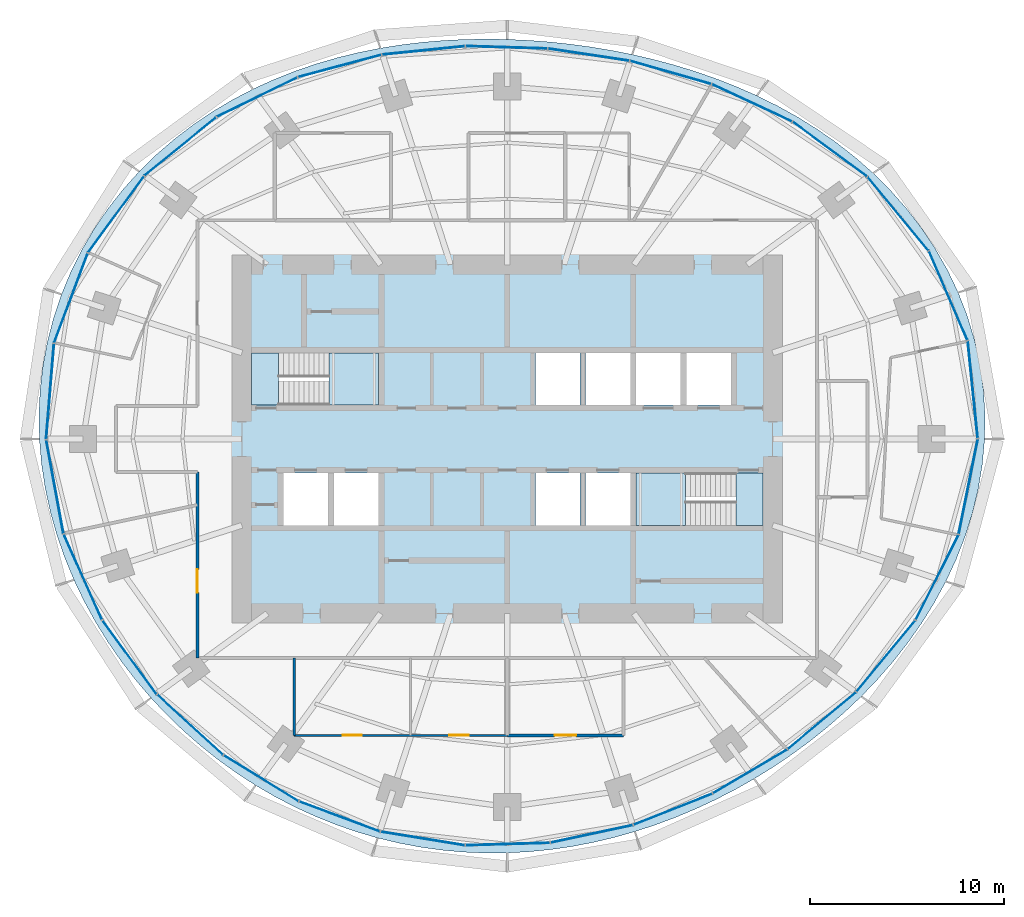
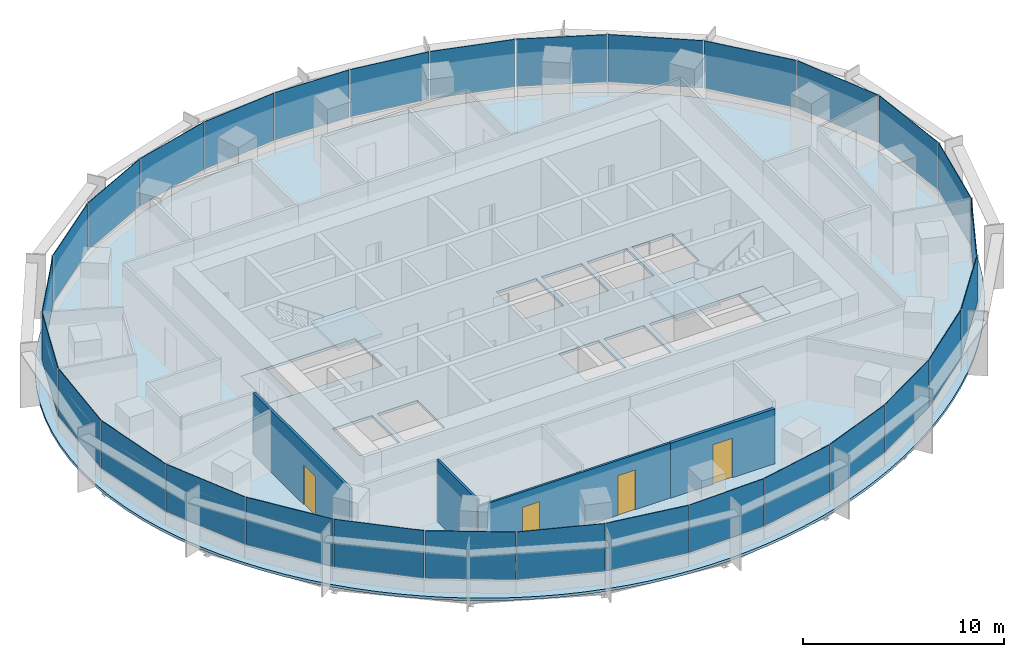
# One storey, part 9 of 14: 30 plates, 5 slabs, 4 doors, 4 walls, 4 openings, 8 elements without a shape of their own.
"""IFC4 building model written with IfcOpenShell, lengths in metres."""

from ifc_helpers import new_model, si_unit, direction, frame, frame_2d, origin, origin_2d, place, context, subcontext, project, spatial, polyline, rectangle, outline, extrude, material, layer, layer_set, type_object, element, fill, aggregate, save


model = new_model("IFC4")

# Units and contexts
model_context = context("Model", 3, precision=1e-05, world=origin(), true_north=direction((0.0, 1.0)))
body_context = subcontext(model_context, "Body", "Model", "MODEL_VIEW")
ifc_project = project(units=[si_unit("LENGTHUNIT", "METRE"), si_unit("AREAUNIT", "SQUARE_METRE"), si_unit("VOLUMEUNIT", "CUBIC_METRE"), si_unit("PLANEANGLEUNIT", "RADIAN"), si_unit("MASSUNIT", "GRAM", prefix="KILO")], contexts=[model_context])

# Site, building, storey
site_placement = place(None, origin())
site = spatial("IfcSite", under=ifc_project, at=site_placement, CompositionType="ELEMENT")
building_placement = place(site_placement, origin())
building = spatial("IfcBuilding", under=site, at=building_placement, Name="Marramba Exchange Tower", CompositionType="ELEMENT")
storey_placement = place(building_placement, frame((0.0, 0.0, 195.5)))
storey = spatial("IfcBuildingStorey", under=building, at=storey_placement, Name="L47", CompositionType="ELEMENT", Elevation=195.5)

# Slab
ifc_material_1 = material(Name="Concrete N40", Category="concrete")
ifc_layer_1 = layer(ifc_material_1, 0.159912109375)
ifc_layer_set_1 = layer_set([ifc_layer_1], Name="Composite floor slab 160")
slab_type_1 = type_object("IfcSlabType", Name="Composite floor slab 160", PredefinedType="FLOOR", material=ifc_layer_set_1)
slab_1_placement = place(storey_placement, frame((0.0, 0.0, -0.159912109375)))
element("IfcSlab", 1, at=slab_1_placement, inside=storey, type_object=slab_type_1, Name="Floor slab L47", PredefinedType="FLOOR", context=body_context, shape_type="SweptSolid", body=[
    extrude(outline(polyline([(24.64404296875, 0.0), (24.661376953125, 1.29248046875), (24.580078125, 2.58349609375), (24.399658203125, 3.864501953125), (24.12109375, 5.127197265625), (23.7470703125, 6.363037109375), (23.281494140625, 7.564697265625), (22.72900390625, 8.724853515625), (22.095947265625, 9.837646484375), (21.388427734375, 10.89794921875), (20.614013671875, 11.901611328125), (19.780029296875, 12.845458984375), (18.894287109375, 13.7275390625), (17.964111328125, 14.547119140625), (16.996826171875, 15.303955078125), (15.9990234375, 15.9990234375), (14.977294921875, 16.634033203125), (13.936767578125, 17.21044921875), (12.882568359375, 17.7314453125), (11.819091796875, 18.19970703125), (10.749267578125, 18.6181640625), (9.67578125, 18.989990234375), (8.60107421875, 19.318115234375), (7.52587890625, 19.60546875), (6.451171875, 19.8544921875), (5.377197265625, 20.067626953125), (4.303466796875, 20.246337890625), (3.229736328125, 20.39208984375), (2.1552734375, 20.50537109375), (1.078857421875, 20.5869140625), (0.0, 20.63623046875), (-1.082275390625, 20.652587890625), (-2.168701171875, 20.634765625), (-3.259765625, 20.580810546875), (-4.35498046875, 20.4892578125), (-5.45458984375, 20.35693359375), (-6.557373046875, 20.181884765625), (-7.662353515625, 19.9609375), (-8.76708984375, 19.691162109375), (-9.869384765625, 19.369873046875), (-10.96630859375, 18.994384765625), (-12.05419921875, 18.561767578125), (-13.128662109375, 18.070068359375), (-14.185546875, 17.517578125), (-15.218994140625, 16.902587890625), (-16.22412109375, 16.22412109375), (-17.195068359375, 15.482421875), (-18.12548828125, 14.677734375), (-19.009521484375, 13.811279296875), (-19.841064453125, 12.885009765625), (-20.614013671875, 11.901611328125), (-21.32275390625, 10.864501953125), (-21.9619140625, 9.778076171875), (-22.52685546875, 8.647216796875), (-23.01318359375, 7.477294921875), (-23.417724609375, 6.274658203125), (-23.73779296875, 5.045654296875), (-23.971923828125, 3.796875), (-24.119384765625, 2.53515625), (-24.180419921875, 1.267333984375), (-24.156005859375, 0.0), (-24.04833984375, -1.26025390625), (-23.860107421875, -2.5078125), (-23.594482421875, -3.737060546875), (-23.25537109375, -4.943115234375), (-22.846923828125, -6.121826171875), (-22.373291015625, -7.26953125), (-21.8388671875, -8.38330078125), (-21.247802734375, -9.460205078125), (-20.604248046875, -10.49853515625), (-19.912109375, -11.496337890625), (-19.174560546875, -12.4521484375), (-18.395263671875, -13.364990234375), (-17.5771484375, -14.233642578125), (-16.72265625, -15.05712890625), (-15.834228515625, -15.834228515625), (-14.914794921875, -16.564453125), (-13.966064453125, -17.24658203125), (-12.990234375, -17.879638671875), (-11.98974609375, -18.46240234375), (-10.96630859375, -18.994384765625), (-9.922607421875, -19.47412109375), (-8.860595703125, -19.901123046875), (-7.78271484375, -20.2744140625), (-6.691162109375, -20.593505859375), (-5.5888671875, -20.858154296875), (-4.478271484375, -21.068115234375), (-3.361328125, -21.22314453125), (-2.2412109375, -21.32373046875), (-1.119873046875, -21.370361328125), (0.0, -21.36376953125), (1.116455078125, -21.3046875), (2.2275390625, -21.194580078125), (3.33154296875, -21.0341796875), (4.426513671875, -20.8251953125), (5.511474609375, -20.56884765625), (6.5849609375, -20.266357421875), (7.646240234375, -19.919189453125), (8.694580078125, -19.528076171875), (9.72900390625, -19.09423828125), (10.749267578125, -18.6181640625), (11.75439453125, -18.100341796875), (12.744140625, -17.541015625), (13.71728515625, -16.939697265625), (14.6728515625, -16.2958984375), (15.609130859375, -15.609130859375), (16.5244140625, -14.878662109375), (17.415771484375, -14.10302734375), (18.280029296875, -13.28125), (19.11376953125, -12.41259765625), (19.912109375, -11.496337890625), (20.669921875, -10.531982421875), (21.3818359375, -9.519775390625), (22.041259765625, -8.4609375), (22.641845703125, -7.356689453125), (23.176513671875, -6.210205078125), (23.638671875, -5.024658203125), (24.022216796875, -3.8046875), (24.32080078125, -2.55615234375), (24.529541015625, -1.28564453125), (24.64404296875, 0.0)]), holes=[polyline([(1.449951171875, 1.75), (3.75, 1.75), (3.75, 4.449951171875), (1.449951171875, 4.449951171875), (1.449951171875, 1.75)]), polyline([(4.050048828125, 1.75), (6.35009765625, 1.75), (6.35009765625, 4.449951171875), (4.050048828125, 4.449951171875), (4.050048828125, 1.75)]), polyline([(1.449951171875, -4.449951171875), (3.75, -4.449951171875), (3.75, -1.75), (1.449951171875, -1.75), (1.449951171875, -4.449951171875)]), polyline([(4.050048828125, -4.449951171875), (6.35009765625, -4.449951171875), (6.35009765625, -1.75), (4.050048828125, -1.75), (4.050048828125, -4.449951171875)]), polyline([(6.64990234375, 1.75), (8.949951171875, 1.75), (8.949951171875, 4.449951171875), (6.64990234375, 4.449951171875), (6.64990234375, 1.75)]), polyline([(-8.949951171875, -4.449951171875), (-6.64990234375, -4.449951171875), (-6.64990234375, -1.75), (-8.949951171875, -1.75), (-8.949951171875, -4.449951171875)]), polyline([(-11.550048828125, -4.449951171875), (-9.25, -4.449951171875), (-9.25, -1.75), (-11.550048828125, -1.75), (-11.550048828125, -4.449951171875)]), polyline([(9.25, 1.75), (11.550048828125, 1.75), (11.550048828125, 4.449951171875), (9.25, 4.449951171875), (9.25, 1.75)]), polyline([(-13.199951171875, 1.75), (-6.64990234375, 1.75), (-6.64990234375, 4.449951171875), (-13.199951171875, 4.449951171875), (-13.199951171875, 1.75)]), polyline([(6.64990234375, -4.449951171875), (13.199951171875, -4.449951171875), (13.199951171875, -1.75), (6.64990234375, -1.75), (6.64990234375, -4.449951171875)])]), origin(), (0.0, 0.0, 1.0), 0.159912109375),
])

# Curtain wall, plates
ifc_material_2 = material(Name="Aluminium framing, bronze anodised", Category="aluminium")
curtain_wall_type = type_object("IfcCurtainWallType", Name="Office ribbon curtain wall", PredefinedType="USERDEFINED", material=ifc_material_2)
curtain_wall_1_placement = place(storey_placement, origin())
curtain_wall_1 = element("IfcCurtainWall", 2, at=curtain_wall_1_placement, inside=storey, type_object=curtain_wall_type, Name="Curtain wall CW4 L47 F01-F05", ObjectType="RIBBON CURTAIN WALL", PredefinedType="USERDEFINED")
ifc_material_3 = material(Name="Laminated double glazed unit 10.76 + 16 + 10.76, bronze tinted", Category="glass")
ifc_layer_2 = layer(ifc_material_3, 0.03759765625)
ifc_layer_set_2 = layer_set([ifc_layer_2], Name="Office ribbon curtain wall panel")
plate_type = type_object("IfcPlateType", Name="Office ribbon curtain wall panel", PredefinedType="CURTAIN_PANEL", material=ifc_layer_set_2)
plate_1_placement = place(storey_placement, frame((24.033203125, 2.556884765625, 0.860107421875), z_axis=(0.0, 0.0, 1.0), x_axis=(-0.101422472607, 0.994843446001, 0.0)))
plate_1 = element("IfcPlate", 3, at=plate_1_placement, type_object=plate_type, Name="CW4 vision panel", PredefinedType="CURTAIN_PANEL", context=body_context, shape_type="SweptSolid", body=[
    extrude(rectangle(XDim=5.0205078125, YDim=0.03759765625, at=origin_2d()), origin(), (0.0, 0.0, 1.0), 2.8798828125),
])
plate_2_placement = place(storey_placement, frame((22.765625, 7.40234375, 0.860107421875), z_axis=(0.0, 0.0, 1.0), x_axis=(-0.396193346946, 0.918167104527, 0.0)))
plate_2 = element("IfcPlate", 4, at=plate_2_placement, type_object=plate_type, Name="CW4 vision panel", PredefinedType="CURTAIN_PANEL", context=body_context, shape_type="SweptSolid", body=[
    extrude(rectangle(XDim=4.99462890625, YDim=0.03759765625, at=origin_2d()), origin(), (0.0, 0.0, 1.0), 2.8798828125),
])
plate_3_placement = place(storey_placement, frame((20.174560546875, 11.631591796875, 0.860107421875), z_axis=(0.0, 0.0, 1.0), x_axis=(-0.637350227411, 0.770574258342, 0.0)))
plate_3 = element("IfcPlate", 5, at=plate_3_placement, type_object=plate_type, Name="CW4 vision panel", PredefinedType="CURTAIN_PANEL", context=body_context, shape_type="SweptSolid", body=[
    extrude(rectangle(XDim=4.90576171875, YDim=0.03759765625, at=origin_2d()), origin(), (0.0, 0.0, 1.0), 2.8798828125),
])
plate_4_placement = place(storey_placement, frame((16.653076171875, 14.965576171875, 0.860107421875), z_axis=(0.0, 0.0, 1.0), x_axis=(-0.804877259395, 0.593441317494, 0.0)))
plate_4 = element("IfcPlate", 6, at=plate_4_placement, type_object=plate_type, Name="CW4 vision panel", PredefinedType="CURTAIN_PANEL", context=body_context, shape_type="SweptSolid", body=[
    extrude(rectangle(XDim=4.745849609375, YDim=0.03759765625, at=origin_2d()), origin(), (0.0, 0.0, 1.0), 2.8798828125),
])
plate_5_placement = place(storey_placement, frame((12.63134765625, 17.357177734375, 0.860107421875), z_axis=(0.0, 0.0, 1.0), x_axis=(-0.906533907301, 0.422133006189, 0.0)))
plate_5 = element("IfcPlate", 7, at=plate_5_placement, type_object=plate_type, Name="CW4 vision panel", PredefinedType="CURTAIN_PANEL", context=body_context, shape_type="SweptSolid", body=[
    extrude(rectangle(XDim=4.53857421875, YDim=0.03759765625, at=origin_2d()), origin(), (0.0, 0.0, 1.0), 2.8798828125),
])
aggregate(curtain_wall_1, [plate_1, plate_2, plate_3, plate_4, plate_5])

curtain_wall_2_placement = place(storey_placement, origin())
curtain_wall_2 = element("IfcCurtainWall", 8, at=curtain_wall_2_placement, inside=storey, type_object=curtain_wall_type, Name="Curtain wall CW4 L47 F06-F10", ObjectType="RIBBON CURTAIN WALL", PredefinedType="USERDEFINED")
plate_6_placement = place(storey_placement, frame((8.4296875, 18.926513671875, 0.860107421875), z_axis=(0.0, 0.0, 1.0), x_axis=(-0.961658954195, 0.274248164656, 0.0)))
plate_6 = element("IfcPlate", 9, at=plate_6_placement, type_object=plate_type, Name="CW4 vision panel", PredefinedType="CURTAIN_PANEL", context=body_context, shape_type="SweptSolid", body=[
    extrude(rectangle(XDim=4.33984375, YDim=0.03759765625, at=origin_2d()), origin(), (0.0, 0.0, 1.0), 2.8798828125),
])
plate_7_placement = place(storey_placement, frame((4.201171875, 19.843994140625, 0.860107421875), z_axis=(0.0, 0.0, 1.0), x_axis=(-0.988868065698, 0.148794988635, 0.0)))
plate_7 = element("IfcPlate", 10, at=plate_7_placement, type_object=plate_type, Name="CW4 vision panel", PredefinedType="CURTAIN_PANEL", context=body_context, shape_type="SweptSolid", body=[
    extrude(rectangle(XDim=4.2119140625, YDim=0.03759765625, at=origin_2d()), origin(), (0.0, 0.0, 1.0), 2.8798828125),
])
plate_8_placement = place(storey_placement, frame((-0.036865234375, 20.222900390625, 0.860107421875), z_axis=(0.0, 0.0, 1.0), x_axis=(-0.999538000143, 0.03039385249, 0.0)))
plate_8 = element("IfcPlate", 11, at=plate_8_placement, type_object=plate_type, Name="CW4 vision panel", PredefinedType="CURTAIN_PANEL", context=body_context, shape_type="SweptSolid", body=[
    extrude(rectangle(XDim=4.19287109375, YDim=0.03759765625, at=origin_2d()), origin(), (0.0, 0.0, 1.0), 2.8798828125),
])
plate_9_placement = place(storey_placement, frame((-4.320556640625, 20.064697265625, 0.860107421875), z_axis=(0.0, 0.0, 1.0), x_axis=(-0.994900357369, -0.100862673507, 0.0)))
plate_9 = element("IfcPlate", 12, at=plate_9_placement, type_object=plate_type, Name="CW4 vision panel", PredefinedType="CURTAIN_PANEL", context=body_context, shape_type="SweptSolid", body=[
    extrude(rectangle(XDim=4.279296875, YDim=0.03759765625, at=origin_2d()), origin(), (0.0, 0.0, 1.0), 2.8798828125),
])
plate_10_placement = place(storey_placement, frame((-8.6494140625, 19.262451171875, 0.860107421875), z_axis=(0.0, 0.0, 1.0), x_axis=(-0.966240653155, -0.257641223778, 0.0)))
plate_10 = element("IfcPlate", 13, at=plate_10_placement, type_object=plate_type, Name="CW4 vision panel", PredefinedType="CURTAIN_PANEL", context=body_context, shape_type="SweptSolid", body=[
    extrude(rectangle(XDim=4.433837890625, YDim=0.03759765625, at=origin_2d()), origin(), (0.0, 0.0, 1.0), 2.8798828125),
])
aggregate(curtain_wall_2, [plate_6, plate_7, plate_8, plate_9, plate_10])

curtain_wall_3_placement = place(storey_placement, origin())
curtain_wall_3 = element("IfcCurtainWall", 14, at=curtain_wall_3_placement, inside=storey, type_object=curtain_wall_type, Name="Curtain wall CW4 L47 F11-F15", ObjectType="RIBBON CURTAIN WALL", PredefinedType="USERDEFINED")
plate_11_placement = place(storey_placement, frame((-12.9150390625, 17.653564453125, 0.860107421875), z_axis=(0.0, 0.0, 1.0), x_axis=(-0.898500518805, -0.438972456661, 0.0)))
plate_11 = element("IfcPlate", 15, at=plate_11_placement, type_object=plate_type, Name="CW4 vision panel", PredefinedType="CURTAIN_PANEL", context=body_context, shape_type="SweptSolid", body=[
    extrude(rectangle(XDim=4.607177734375, YDim=0.03759765625, at=origin_2d()), origin(), (0.0, 0.0, 1.0), 2.8798828125),
])
plate_12_placement = place(storey_placement, frame((-16.87890625, 15.10498046875, 0.860107421875), z_axis=(0.0, 0.0, 1.0), x_axis=(-0.776432169145, -0.630200830464, 0.0)))
plate_12 = element("IfcPlate", 16, at=plate_12_placement, type_object=plate_type, Name="CW4 vision panel", PredefinedType="CURTAIN_PANEL", context=body_context, shape_type="SweptSolid", body=[
    extrude(rectangle(XDim=4.7587890625, YDim=0.03759765625, at=origin_2d()), origin(), (0.0, 0.0, 1.0), 2.8798828125),
])
plate_13_placement = place(storey_placement, frame((-20.2021484375, 11.596435546875, 0.860107421875), z_axis=(0.0, 0.0, 1.0), x_axis=(-0.591962922138, -0.805965197024, 0.0)))
plate_13 = element("IfcPlate", 17, at=plate_13_placement, type_object=plate_type, Name="CW4 vision panel", PredefinedType="CURTAIN_PANEL", context=body_context, shape_type="SweptSolid", body=[
    extrude(rectangle(XDim=4.865478515625, YDim=0.03759765625, at=origin_2d()), origin(), (0.0, 0.0, 1.0), 2.8798828125),
])
plate_14_placement = place(storey_placement, frame((-22.529296875, 7.276123046875, 0.860107421875), z_axis=(0.0, 0.0, 1.0), x_axis=(-0.351951515885, -0.936018231909, 0.0)))
plate_14 = element("IfcPlate", 18, at=plate_14_placement, type_object=plate_type, Name="CW4 vision panel", PredefinedType="CURTAIN_PANEL", context=body_context, shape_type="SweptSolid", body=[
    extrude(rectangle(XDim=4.921630859375, YDim=0.03759765625, at=origin_2d()), origin(), (0.0, 0.0, 1.0), 2.8798828125),
])
plate_15_placement = place(storey_placement, frame((-23.603271484375, 2.45654296875, 0.860107421875), z_axis=(0.0, 0.0, 1.0), x_axis=(-0.082280890264, -0.996609178714, 0.0)))
plate_15 = element("IfcPlate", 19, at=plate_15_placement, type_object=plate_type, Name="CW4 vision panel", PredefinedType="CURTAIN_PANEL", context=body_context, shape_type="SweptSolid", body=[
    extrude(rectangle(XDim=4.9296875, YDim=0.03759765625, at=origin_2d()), origin(), (0.0, 0.0, 1.0), 2.8798828125),
])
aggregate(curtain_wall_3, [plate_11, plate_12, plate_13, plate_14, plate_15])

curtain_wall_4_placement = place(storey_placement, origin())
curtain_wall_4 = element("IfcCurtainWall", 20, at=curtain_wall_4_placement, inside=storey, type_object=curtain_wall_type, Name="Curtain wall CW4 L47 F16-F20", ObjectType="RIBBON CURTAIN WALL", PredefinedType="USERDEFINED")
plate_16_placement = place(storey_placement, frame((-23.354248046875, -2.464599609375, 0.860107421875), z_axis=(0.0, 0.0, 1.0), x_axis=(0.180327438996, -0.983606636184, 0.0)))
plate_16 = element("IfcPlate", 21, at=plate_16_placement, type_object=plate_type, Name="CW4 vision panel", PredefinedType="CURTAIN_PANEL", context=body_context, shape_type="SweptSolid", body=[
    extrude(rectangle(XDim=4.8916015625, YDim=0.03759765625, at=origin_2d()), origin(), (0.0, 0.0, 1.0), 2.8798828125),
])
plate_17_placement = place(storey_placement, frame((-21.908447265625, -7.12158203125, 0.860107421875), z_axis=(0.0, 0.0, 1.0), x_axis=(0.407557580942, -0.913179510401, 0.0)))
plate_17 = element("IfcPlate", 22, at=plate_17_placement, type_object=plate_type, Name="CW4 vision panel", PredefinedType="CURTAIN_PANEL", context=body_context, shape_type="SweptSolid", body=[
    extrude(rectangle(XDim=4.810302734375, YDim=0.03759765625, at=origin_2d()), origin(), (0.0, 0.0, 1.0), 2.8798828125),
])
plate_18_placement = place(storey_placement, frame((-19.50244140625, -11.2626953125, 0.860107421875), z_axis=(0.0, 0.0, 1.0), x_axis=(0.591223103363, -0.806508054547, 0.0)))
plate_18 = element("IfcPlate", 23, at=plate_18_placement, type_object=plate_type, Name="CW4 vision panel", PredefinedType="CURTAIN_PANEL", context=body_context, shape_type="SweptSolid", body=[
    extrude(rectangle(XDim=4.703125, YDim=0.03759765625, at=origin_2d()), origin(), (0.0, 0.0, 1.0), 2.8798828125),
])
plate_19_placement = place(storey_placement, frame((-16.374267578125, -14.752197265625, 0.860107421875), z_axis=(0.0, 0.0, 1.0), x_axis=(0.737203264245, -0.67567103474, 0.0)))
plate_19 = element("IfcPlate", 24, at=plate_19_placement, type_object=plate_type, Name="CW4 vision panel", PredefinedType="CURTAIN_PANEL", context=body_context, shape_type="SweptSolid", body=[
    extrude(rectangle(XDim=4.594970703125, YDim=0.03759765625, at=origin_2d()), origin(), (0.0, 0.0, 1.0), 2.8798828125),
])
plate_20_placement = place(storey_placement, frame((-12.71044921875, -17.513427734375, 0.860107421875), z_axis=(0.0, 0.0, 1.0), x_axis=(0.85230101176, -0.52305160869, 0.0)))
plate_20 = element("IfcPlate", 25, at=plate_20_placement, type_object=plate_type, Name="CW4 vision panel", PredefinedType="CURTAIN_PANEL", context=body_context, shape_type="SweptSolid", body=[
    extrude(rectangle(XDim=4.503173828125, YDim=0.03759765625, at=origin_2d()), origin(), (0.0, 0.0, 1.0), 2.8798828125),
])
aggregate(curtain_wall_4, [plate_16, plate_17, plate_18, plate_19, plate_20])

curtain_wall_5_placement = place(storey_placement, origin())
curtain_wall_5 = element("IfcCurtainWall", 26, at=curtain_wall_5_placement, inside=storey, type_object=curtain_wall_type, Name="Curtain wall CW4 L47 F21-F25", ObjectType="RIBBON CURTAIN WALL", PredefinedType="USERDEFINED")
plate_21_placement = place(storey_placement, frame((-8.6591796875, -19.486572265625, 0.860107421875), z_axis=(0.0, 0.0, 1.0), x_axis=(0.936951583142, -0.349459197687, 0.0)))
plate_21 = element("IfcPlate", 27, at=plate_21_placement, type_object=plate_type, Name="CW4 vision panel", PredefinedType="CURTAIN_PANEL", context=body_context, shape_type="SweptSolid", body=[
    extrude(rectangle(XDim=4.431396484375, YDim=0.03759765625, at=origin_2d()), origin(), (0.0, 0.0, 1.0), 2.8798828125),
])
plate_22_placement = place(storey_placement, frame((-4.3642578125, -20.623046875, 0.860107421875), z_axis=(0.0, 0.0, 1.0), x_axis=(0.986930623159, -0.161145726194, 0.0)))
plate_22 = element("IfcPlate", 28, at=plate_22_placement, type_object=plate_type, Name="CW4 vision panel", PredefinedType="CURTAIN_PANEL", context=body_context, shape_type="SweptSolid", body=[
    extrude(rectangle(XDim=4.37646484375, YDim=0.03759765625, at=origin_2d()), origin(), (0.0, 0.0, 1.0), 2.8798828125),
])
plate_23_placement = place(storey_placement, frame((0.023193359375, -20.91015625, 0.860107421875), z_axis=(0.0, 0.0, 1.0), x_axis=(0.99956791915, 0.029393451762, 0.0)))
plate_23 = element("IfcPlate", 29, at=plate_23_placement, type_object=plate_type, Name="CW4 vision panel", PredefinedType="CURTAIN_PANEL", context=body_context, shape_type="SweptSolid", body=[
    extrude(rectangle(XDim=4.337646484375, YDim=0.03759765625, at=origin_2d()), origin(), (0.0, 0.0, 1.0), 2.8798828125),
])
plate_24_placement = place(storey_placement, frame((4.36328125, -20.3837890625, 0.860107421875), z_axis=(0.0, 0.0, 1.0), x_axis=(0.978058069607, 0.208332456608, 0.0)))
plate_24 = element("IfcPlate", 30, at=plate_24_placement, type_object=plate_type, Name="CW4 vision panel", PredefinedType="CURTAIN_PANEL", context=body_context, shape_type="SweptSolid", body=[
    extrude(rectangle(XDim=4.32177734375, YDim=0.03759765625, at=origin_2d()), origin(), (0.0, 0.0, 1.0), 2.8798828125),
])
plate_25_placement = place(storey_placement, frame((8.553466796875, -19.11328125, 0.860107421875), z_axis=(0.0, 0.0, 1.0), x_axis=(0.93007301435, 0.367374724195, 0.0)))
plate_25 = element("IfcPlate", 31, at=plate_25_placement, type_object=plate_type, Name="CW4 vision panel", PredefinedType="CURTAIN_PANEL", context=body_context, shape_type="SweptSolid", body=[
    extrude(rectangle(XDim=4.345458984375, YDim=0.03759765625, at=origin_2d()), origin(), (0.0, 0.0, 1.0), 2.8798828125),
])
aggregate(curtain_wall_5, [plate_21, plate_22, plate_23, plate_24, plate_25])

curtain_wall_6_placement = place(storey_placement, origin())
curtain_wall_6 = element("IfcCurtainWall", 32, at=curtain_wall_6_placement, inside=storey, type_object=curtain_wall_type, Name="Curtain wall CW4 L47 F26-F30", ObjectType="RIBBON CURTAIN WALL", PredefinedType="USERDEFINED")
plate_26_placement = place(storey_placement, frame((12.5322265625, -17.16015625, 0.860107421875), z_axis=(0.0, 0.0, 1.0), x_axis=(0.861350833897, 0.508010571686, 0.0)))
plate_26 = element("IfcPlate", 33, at=plate_26_placement, type_object=plate_type, Name="CW4 vision panel", PredefinedType="CURTAIN_PANEL", context=body_context, shape_type="SweptSolid", body=[
    extrude(rectangle(XDim=4.426513671875, YDim=0.03759765625, at=origin_2d()), origin(), (0.0, 0.0, 1.0), 2.8798828125),
])
plate_27_placement = place(storey_placement, frame((16.240966796875, -14.536376953125, 0.860107421875), z_axis=(0.0, 0.0, 1.0), x_axis=(0.768736798421, 0.639565270127, 0.0)))
plate_27 = element("IfcPlate", 34, at=plate_27_placement, type_object=plate_type, Name="CW4 vision panel", PredefinedType="CURTAIN_PANEL", context=body_context, shape_type="SweptSolid", body=[
    extrude(rectangle(XDim=4.568603515625, YDim=0.03759765625, at=origin_2d()), origin(), (0.0, 0.0, 1.0), 2.8798828125),
])
plate_28_placement = place(storey_placement, frame((19.548583984375, -11.203369140625, 0.860107421875), z_axis=(0.0, 0.0, 1.0), x_axis=(0.63814998673, 0.769912069289, 0.0)))
plate_28 = element("IfcPlate", 35, at=plate_28_placement, type_object=plate_type, Name="CW4 vision panel", PredefinedType="CURTAIN_PANEL", context=body_context, shape_type="SweptSolid", body=[
    extrude(rectangle(XDim=4.7431640625, YDim=0.03759765625, at=origin_2d()), origin(), (0.0, 0.0, 1.0), 2.8798828125),
])
plate_29_placement = place(storey_placement, frame((22.19287109375, -7.137939453125, 0.860107421875), z_axis=(0.0, 0.0, 1.0), x_axis=(0.450673083956, 0.892689067591, 0.0)))
plate_29 = element("IfcPlate", 36, at=plate_29_placement, type_object=plate_type, Name="CW4 vision panel", PredefinedType="CURTAIN_PANEL", context=body_context, shape_type="SweptSolid", body=[
    extrude(rectangle(XDim=4.897705078125, YDim=0.03759765625, at=origin_2d()), origin(), (0.0, 0.0, 1.0), 2.8798828125),
])
plate_30_placement = place(storey_placement, frame((23.801025390625, -2.446533203125, 0.860107421875), z_axis=(0.0, 0.0, 1.0), x_axis=(0.197495405316, 0.980303812539, 0.0)))
plate_30 = element("IfcPlate", 37, at=plate_30_placement, type_object=plate_type, Name="CW4 vision panel", PredefinedType="CURTAIN_PANEL", context=body_context, shape_type="SweptSolid", body=[
    extrude(rectangle(XDim=4.9912109375, YDim=0.03759765625, at=origin_2d()), origin(), (0.0, 0.0, 1.0), 2.8798828125),
])
aggregate(curtain_wall_6, [plate_26, plate_27, plate_28, plate_29, plate_30])

# Stair, slabs
ifc_material_4 = material(Name="Concrete N40 (40 MPa)", Category="concrete")
stair_type_1 = type_object("IfcStairType", Name="Exit stair ST1 3900 x 1250", PredefinedType="HALF_TURN_STAIR", material=ifc_material_4)
stair_1_placement = place(storey_placement, origin())
stair_1 = element("IfcStair", 38, at=stair_1_placement, inside=storey, type_object=stair_type_1, Name="Exit stair ST1 L47", PredefinedType="HALF_TURN_STAIR")
ifc_layer_3 = layer(ifc_material_4, 0.199951171875)
ifc_layer_set_3 = layer_set([ifc_layer_3], Name="Stair landing 200")
slab_type_2 = type_object("IfcSlabType", Name="Stair landing 200", PredefinedType="LANDING", material=ifc_layer_set_3)
slab_2_placement = place(storey_placement, frame((0.0, 0.0, -0.199951171875)))
slab_2 = element("IfcSlab", 39, at=slab_2_placement, type_object=slab_type_2, Name="ST1 landing 1", PredefinedType="LANDING", context=body_context, shape_type="SweptSolid", body=[
    extrude(outline(polyline([(-13.199951171875, 1.75), (-11.800048828125, 1.75), (-11.800048828125, 4.449951171875), (-13.199951171875, 4.449951171875), (-13.199951171875, 1.75)])), origin(), (0.0, 0.0, 1.0), 0.199951171875),
])
slab_3_placement = place(storey_placement, frame((0.0, 0.0, 1.75)))
slab_3 = element("IfcSlab", 40, at=slab_3_placement, type_object=slab_type_2, Name="ST1 landing 2", PredefinedType="LANDING", context=body_context, shape_type="SweptSolid", body=[
    extrude(outline(polyline([(-9.199951171875, 1.75), (-6.64990234375, 1.75), (-6.64990234375, 4.449951171875), (-9.199951171875, 4.449951171875), (-9.199951171875, 1.75)])), origin(), (0.0, 0.0, 1.0), 0.199951171875),
])
aggregate(stair_1, [slab_2, slab_3])

stair_type_2 = type_object("IfcStairType", Name="Exit stair ST2 3900 x 1250", PredefinedType="HALF_TURN_STAIR", material=ifc_material_4)
stair_2_placement = place(storey_placement, origin())
stair_2 = element("IfcStair", 41, at=stair_2_placement, inside=storey, type_object=stair_type_2, Name="Exit stair ST2 L47", PredefinedType="HALF_TURN_STAIR")
slab_4_placement = place(storey_placement, frame((0.0, 0.0, -0.199951171875)))
slab_4 = element("IfcSlab", 42, at=slab_4_placement, type_object=slab_type_2, Name="ST2 landing 1", PredefinedType="LANDING", context=body_context, shape_type="SweptSolid", body=[
    extrude(outline(polyline([(11.800048828125, -4.449951171875), (13.199951171875, -4.449951171875), (13.199951171875, -1.75), (11.800048828125, -1.75), (11.800048828125, -4.449951171875)])), origin(), (0.0, 0.0, 1.0), 0.199951171875),
])
slab_5_placement = place(storey_placement, frame((0.0, 0.0, 1.75)))
slab_5 = element("IfcSlab", 43, at=slab_5_placement, type_object=slab_type_2, Name="ST2 landing 2", PredefinedType="LANDING", context=body_context, shape_type="SweptSolid", body=[
    extrude(outline(polyline([(6.64990234375, -4.449951171875), (9.199951171875, -4.449951171875), (9.199951171875, -1.75), (6.64990234375, -1.75), (6.64990234375, -4.449951171875)])), origin(), (0.0, 0.0, 1.0), 0.199951171875),
])
aggregate(stair_2, [slab_4, slab_5])

# Wall, opening, door
ifc_material_5 = material(Name="Plasterboard on staggered double steel studs, acoustic insulation", Category="steel")
ifc_layer_4 = layer(ifc_material_5, 0.169921875)
ifc_layer_set_4 = layer_set([ifc_layer_4], Name="Acoustic partition 170")
wall_type_1 = type_object("IfcWallType", Name="Acoustic partition 170", PredefinedType="PARTITIONING", material=ifc_layer_set_4)
wall_1_placement = place(storey_placement, frame((0.0, -15.300048828125, 0.0), z_axis=(0.0, 0.0, 1.0), x_axis=(1.0, 0.0, 0.0)))
wall_1 = element("IfcWall", 44, at=wall_1_placement, inside=storey, type_object=wall_type_1, Name="Acoustic partition L47 09", PredefinedType="PARTITIONING", context=body_context, shape_type="SweptSolid", body=[
    extrude(rectangle(XDim=6.0, YDim=0.169921875, at=frame_2d((3.0, 0.0))), origin(), (0.0, 0.0, 1.0), 3.333984375),
])
opening_1_placement = place(wall_1_placement, frame((2.449951171875, 0.0, 0.0)))
opening_1 = element("IfcOpeningElement", 45, at=opening_1_placement, cuts=wall_1, Name="Opening D15", PredefinedType="OPENING", context=body_context, shape_type="SweptSolid", body=[
    extrude(rectangle(XDim=1.10009765625, YDim=2.39990234375, at=frame_2d((0.550048828125, 1.199951171875))), frame((0.0, 0.094970703125, 0.0), z_axis=(0.0, -1.0, 0.0), x_axis=(1.0, 0.0, 0.0)), (0.0, 0.0, 1.0), 0.18994140625),
])
ifc_material_6 = material(Name="Timber door", Category="wood")
door_type_1 = type_object("IfcDoorType", Name="Glazed meeting room door 1100x2400", OperationType="SINGLE_SWING_LEFT", PredefinedType="DOOR", material=ifc_material_6)
door_1_placement = place(opening_1_placement, origin())
door_1 = element("IfcDoor", 46, at=door_1_placement, inside=storey, type_object=door_type_1, Name="D15 Meeting Room 4 L47", OperationType="SINGLE_SWING_RIGHT", OverallHeight=2.39990234375, OverallWidth=1.10009765625, PredefinedType="DOOR", context=body_context, shape_type="SweptSolid", body=[
    extrude(rectangle(XDim=1.10009765625, YDim=2.39990234375, at=frame_2d((0.550048828125, 1.199951171875))), frame((0.0, 0.02490234375, 0.0), z_axis=(0.0, -1.0, 0.0), x_axis=(1.0, 0.0, 0.0)), (0.0, 0.0, 1.0), 0.050048828125),
])
fill(opening_1, door_1)

# Wall
ifc_material_7 = material(Name="Plasterboard on steel studs", Category="steel")
ifc_layer_5 = layer(ifc_material_7, 0.1201171875)
ifc_layer_set_5 = layer_set([ifc_layer_5], Name="Partition 120")
wall_type_2 = type_object("IfcWallType", Name="Partition 120", PredefinedType="PARTITIONING", material=ifc_layer_set_5)
wall_2_placement = place(storey_placement, frame((-11.0, -11.300048828125, 0.0), z_axis=(0.0, 0.0, 1.0), x_axis=(0.0, -1.0, 0.0)))
element("IfcWall", 47, at=wall_2_placement, inside=storey, type_object=wall_type_2, Name="Partition L47 04", PredefinedType="PARTITIONING", context=body_context, shape_type="SweptSolid", body=[
    extrude(rectangle(XDim=4.0, YDim=0.1201171875, at=frame_2d((2.0, 0.0))), origin(), (0.0, 0.0, 1.0), 3.739990234375),
])

# Wall, openings, doors
wall_3_placement = place(storey_placement, frame((-11.0, -15.300048828125, 0.0), z_axis=(0.0, 0.0, 1.0), x_axis=(1.0, 0.0, 0.0)))
wall_3 = element("IfcWall", 48, at=wall_3_placement, inside=storey, type_object=wall_type_2, Name="Partition L47 07", PredefinedType="PARTITIONING", context=body_context, shape_type="SweptSolid", body=[
    extrude(rectangle(XDim=11.0, YDim=0.1201171875, at=frame_2d((5.5, 0.0))), origin(), (0.0, 0.0, 1.0), 3.333984375),
])
opening_2_placement = place(wall_3_placement, frame((2.5, 0.0, 0.0)))
opening_2 = element("IfcOpeningElement", 49, at=opening_2_placement, cuts=wall_3, Name="Opening D9", PredefinedType="OPENING", context=body_context, shape_type="SweptSolid", body=[
    extrude(rectangle(XDim=1.0, YDim=2.39990234375, at=frame_2d((0.5, 1.199951171875))), frame((0.0, 0.070068359375, 0.0), z_axis=(0.0, -1.0, 0.0), x_axis=(1.0, 0.0, 0.0)), (0.0, 0.0, 1.0), 0.14013671875),
])
opening_3_placement = place(wall_3_placement, frame((8.0, 0.0, 0.0)))
opening_3 = element("IfcOpeningElement", 50, at=opening_3_placement, cuts=wall_3, Name="Opening D9", PredefinedType="OPENING", context=body_context, shape_type="SweptSolid", body=[
    extrude(rectangle(XDim=1.0, YDim=2.39990234375, at=frame_2d((0.5, 1.199951171875))), frame((0.0, 0.070068359375, 0.0), z_axis=(0.0, -1.0, 0.0), x_axis=(1.0, 0.0, 0.0)), (0.0, 0.0, 1.0), 0.14013671875),
])
door_type_2 = type_object("IfcDoorType", Name="Room door 1000x2400", OperationType="SINGLE_SWING_LEFT", PredefinedType="DOOR", material=ifc_material_6)
door_2_placement = place(opening_2_placement, origin())
door_2 = element("IfcDoor", 51, at=door_2_placement, inside=storey, type_object=door_type_2, Name="D9 Pantry 2 L47", OperationType="SINGLE_SWING_RIGHT", OverallHeight=2.39990234375, OverallWidth=1.0, PredefinedType="DOOR", context=body_context, shape_type="SweptSolid", body=[
    extrude(rectangle(XDim=1.0, YDim=2.39990234375, at=frame_2d((0.5, 1.199951171875))), frame((0.0, 0.02490234375, 0.0), z_axis=(0.0, -1.0, 0.0), x_axis=(1.0, 0.0, 0.0)), (0.0, 0.0, 1.0), 0.050048828125),
])
fill(opening_2, door_2)
door_3_placement = place(opening_3_placement, origin())
door_3 = element("IfcDoor", 52, at=door_3_placement, inside=storey, type_object=door_type_2, Name="D9 Print Room L47", OperationType="SINGLE_SWING_RIGHT", OverallHeight=2.39990234375, OverallWidth=1.0, PredefinedType="DOOR", context=body_context, shape_type="SweptSolid", body=[
    extrude(rectangle(XDim=1.0, YDim=2.39990234375, at=frame_2d((0.5, 1.199951171875))), frame((0.0, 0.02490234375, 0.0), z_axis=(0.0, -1.0, 0.0), x_axis=(1.0, 0.0, 0.0)), (0.0, 0.0, 1.0), 0.050048828125),
])
fill(opening_3, door_3)

# Wall, opening, door
ifc_material_8 = material(Name="Fire-rated plasterboard on steel studs, acoustic insulation", Category="steel")
ifc_layer_6 = layer(ifc_material_8, 0.14990234375)
ifc_layer_set_6 = layer_set([ifc_layer_6], Name="Tenancy wall 150")
wall_type_3 = type_object("IfcWallType", Name="Tenancy wall 150", PredefinedType="PARTITIONING", material=ifc_layer_set_6)
wall_4_placement = place(storey_placement, frame((-16.0, -1.699951171875, 0.0), z_axis=(0.0, 0.0, 1.0), x_axis=(0.0, -1.0, 0.0)))
wall_4 = element("IfcWall", 53, at=wall_4_placement, inside=storey, type_object=wall_type_3, Name="Tenancy wall L47 03", PredefinedType="PARTITIONING", context=body_context, shape_type="SweptSolid", body=[
    extrude(rectangle(XDim=9.60009765625, YDim=0.14990234375, at=frame_2d((4.800048828125, 0.0))), origin(), (0.0, 0.0, 1.0), 3.739990234375),
])
opening_4_placement = place(wall_4_placement, frame((5.02490234375, 0.0, 0.0)))
opening_4 = element("IfcOpeningElement", 54, at=opening_4_placement, cuts=wall_4, Name="Opening D13", PredefinedType="OPENING", context=body_context, shape_type="SweptSolid", body=[
    extrude(rectangle(XDim=1.199951171875, YDim=2.39990234375, at=frame_2d((0.60009765625, 1.199951171875))), frame((0.0, 0.0849609375, 0.0), z_axis=(0.0, -1.0, 0.0), x_axis=(1.0, 0.0, 0.0)), (0.0, 0.0, 1.0), 0.169921875),
])
ifc_material_9 = material(Name="Steel-framed door", Category="steel")
door_type_3 = type_object("IfcDoorType", Name="Tenancy entry door 1200x2400", OperationType="SINGLE_SWING_LEFT", PredefinedType="DOOR", material=ifc_material_9)
door_4_placement = place(opening_4_placement, origin())
door_4 = element("IfcDoor", 55, at=door_4_placement, inside=storey, type_object=door_type_3, Name="D13 Office 3 L47", OperationType="SINGLE_SWING_RIGHT", OverallHeight=2.39990234375, OverallWidth=1.199951171875, PredefinedType="DOOR", context=body_context, shape_type="SweptSolid", body=[
    extrude(rectangle(XDim=1.199951171875, YDim=2.39990234375, at=frame_2d((0.60009765625, 1.199951171875))), frame((0.0, 0.02490234375, 0.0), z_axis=(0.0, -1.0, 0.0), x_axis=(1.0, 0.0, 0.0)), (0.0, 0.0, 1.0), 0.050048828125),
])
fill(opening_4, door_4)

save(model, "model.ifc")
